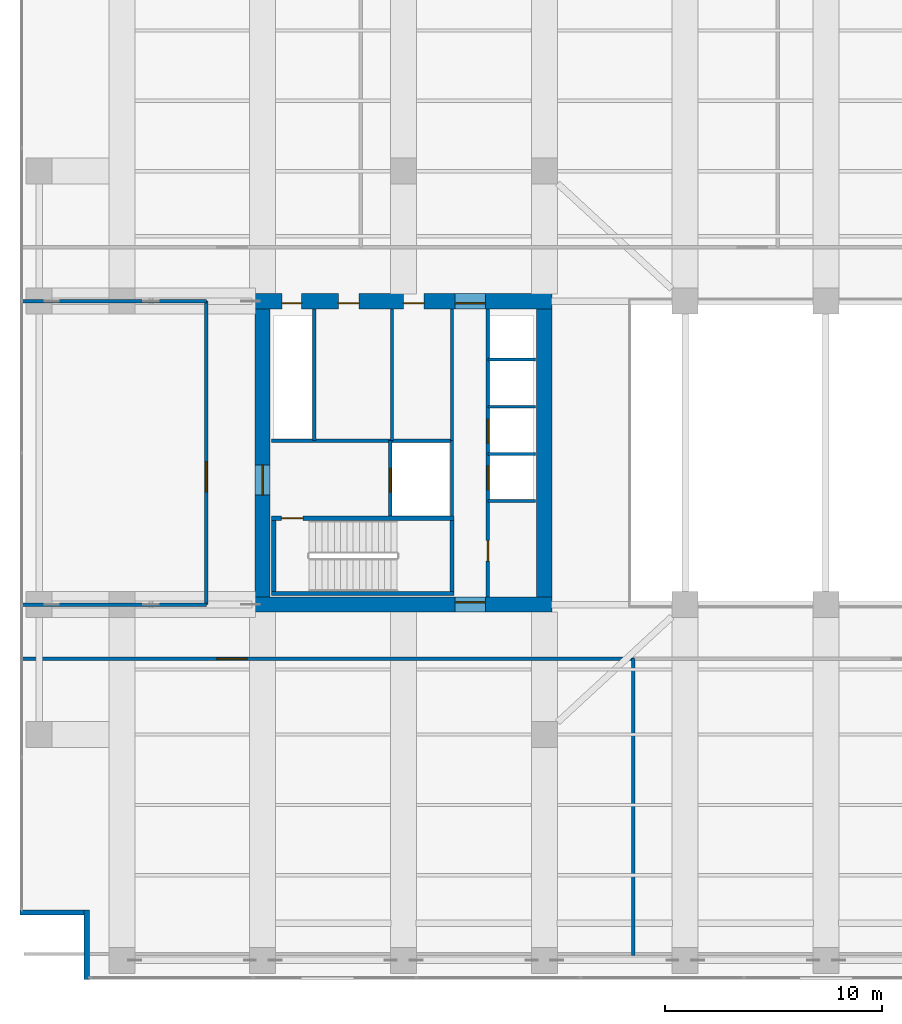
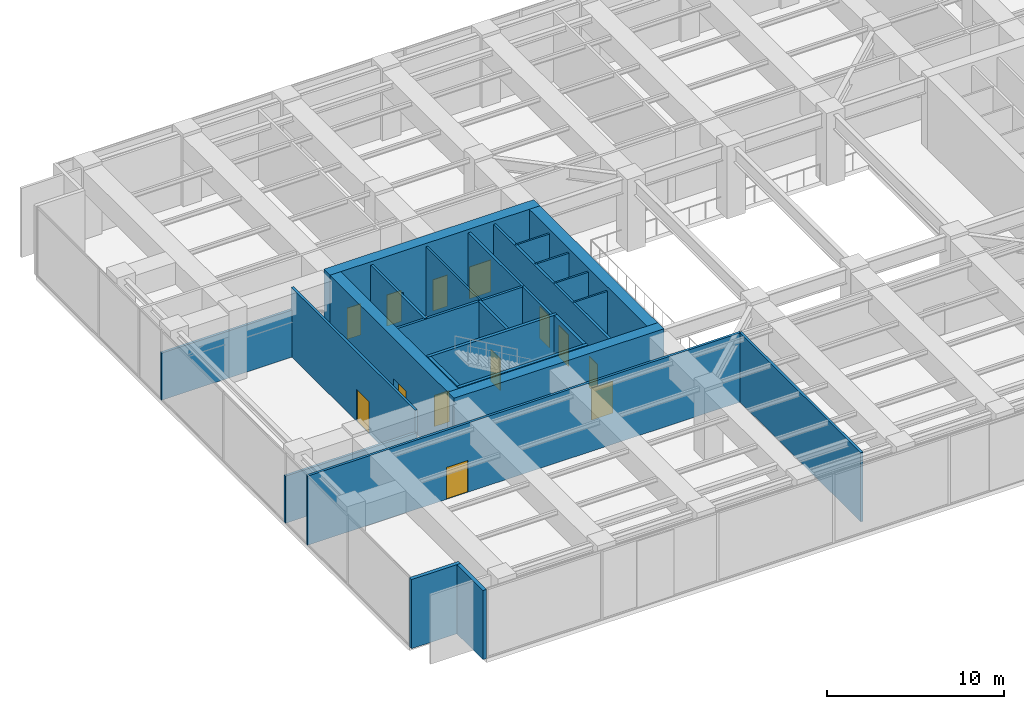
# One storey, part 21 of 28: 26 walls, 13 doors, 13 openings.
"""IFC4 building model written with IfcOpenShell, lengths in metres."""

from ifc_helpers import new_model, si_unit, direction, frame, frame_2d, origin, place, context, subcontext, project, spatial, rectangle, extrude, material, layer, layer_set, type_object, element, fill, save


model = new_model("IFC4")

# Units and contexts
model_context = context("Model", 3, precision=1e-05, world=origin(), true_north=direction((0.0, 1.0)))
body_context = subcontext(model_context, "Body", "Model", "MODEL_VIEW")
ifc_project = project(units=[si_unit("LENGTHUNIT", "METRE"), si_unit("AREAUNIT", "SQUARE_METRE"), si_unit("VOLUMEUNIT", "CUBIC_METRE"), si_unit("PLANEANGLEUNIT", "RADIAN"), si_unit("MASSUNIT", "GRAM", prefix="KILO")], contexts=[model_context])

# Site, building, storey
site_placement = place(None, origin())
site = spatial("IfcSite", under=ifc_project, at=site_placement, CompositionType="ELEMENT")
building_placement = place(site_placement, origin())
building = spatial("IfcBuilding", under=site, at=building_placement, Name="Putna Gate Headquarters", CompositionType="ELEMENT")
storey_placement = place(building_placement, frame((0.0, 0.0, 139.199951171875)))
storey = spatial("IfcBuildingStorey", under=building, at=storey_placement, Name="L34", CompositionType="ELEMENT", Elevation=139.199951171875)

# Wall, opening, door
ifc_material_1 = material(Name="Concrete C60/75", Category="concrete")
ifc_layer_1 = layer(ifc_material_1, 0.699951171875)
ifc_layer_set_1 = layer_set([ifc_layer_1], Name="Concrete C60/75")
wall_type_1 = type_object("IfcWallType", Name="WALL-CORE-700", PredefinedType="SHEAR", material=ifc_layer_set_1)
wall_1_placement = place(storey_placement, frame((12.64990234375, 19.0, 0.0), z_axis=(0.0, 0.0, 1.0), x_axis=(1.0, 0.0, 0.0)))
wall_1 = element("IfcWall", 1, at=wall_1_placement, inside=storey, type_object=wall_type_1, Name="L34 WC Split Core Shear Wall S", PredefinedType="SHEAR", context=body_context, shape_type="SweptSolid", body=[
    extrude(rectangle(XDim=13.7001953125, YDim=0.699951171875, at=frame_2d((6.85009765625, 0.0))), origin(), (0.0, 0.0, 1.0), 5.0),
])
opening_1_placement = place(wall_1_placement, frame((9.22998046875, 0.0, 0.0)))
opening_1 = element("IfcOpeningElement", 2, at=opening_1_placement, cuts=wall_1, Name="Opening FDD-140", PredefinedType="OPENING", context=body_context, shape_type="SweptSolid", body=[
    extrude(rectangle(XDim=1.39990234375, YDim=2.199951171875, at=frame_2d((0.699951171875, 1.10009765625))), frame((0.0, 0.35986328125, 0.0), z_axis=(0.0, -1.0, 0.0), x_axis=(1.0, 0.0, 0.0)), (0.0, 0.0, 1.0), 0.719970703125),
])
ifc_material_2 = material(Name="Double steel fire door", Category="steel")
door_type_1 = type_object("IfcDoorType", Name="DOOR-FIRE-DBL-1400", OperationType="DOUBLE_DOOR_SINGLE_SWING", PredefinedType="DOOR", material=ifc_material_2)
door_1_placement = place(opening_1_placement, origin())
door_1 = element("IfcDoor", 3, at=door_1_placement, inside=storey, type_object=door_type_1, Name="L34 West Lift Lobby South Door", OperationType="DOUBLE_DOOR_SINGLE_SWING", OverallHeight=2.199951171875, OverallWidth=1.39990234375, PredefinedType="DOOR", context=body_context, shape_type="SweptSolid", body=[
    extrude(rectangle(XDim=1.39990234375, YDim=2.199951171875, at=frame_2d((0.699951171875, 1.10009765625))), frame((0.0, 0.125, 0.0), z_axis=(0.0, -1.0, 0.0), x_axis=(1.0, 0.0, 0.0)), (0.0, 0.0, 1.0), 0.050048828125),
])
fill(opening_1, door_1)

# Wall, openings, doors
wall_2_placement = place(storey_placement, frame((12.64990234375, 33.0, 0.0), z_axis=(0.0, 0.0, 1.0), x_axis=(1.0, 0.0, 0.0)))
wall_2 = element("IfcWall", 4, at=wall_2_placement, inside=storey, type_object=wall_type_1, Name="L34 WC Split Core Shear Wall N", PredefinedType="SHEAR", context=body_context, shape_type="SweptSolid", body=[
    extrude(rectangle(XDim=13.7001953125, YDim=0.699951171875, at=frame_2d((6.85009765625, 0.0))), origin(), (0.0, 0.0, 1.0), 5.0),
])
opening_2_placement = place(wall_2_placement, frame((1.25, 0.0, 0.0)))
opening_2 = element("IfcOpeningElement", 5, at=opening_2_placement, cuts=wall_2, Name="Opening RD-90", PredefinedType="OPENING", context=body_context, shape_type="SweptSolid", body=[
    extrude(rectangle(XDim=0.89990234375, YDim=2.14990234375, at=frame_2d((0.449951171875, 1.074951171875))), frame((0.0, 0.35986328125, 0.0), z_axis=(0.0, -1.0, 0.0), x_axis=(1.0, 0.0, 0.0)), (0.0, 0.0, 1.0), 0.719970703125),
])
opening_3_placement = place(wall_2_placement, frame((3.85009765625, 0.0, 0.0)))
opening_3 = element("IfcOpeningElement", 6, at=opening_3_placement, cuts=wall_2, Name="Opening IDS-95", PredefinedType="OPENING", context=body_context, shape_type="SweptSolid", body=[
    extrude(rectangle(XDim=0.949951171875, YDim=2.14990234375, at=frame_2d((0.47509765625, 1.074951171875))), frame((0.0, 0.35986328125, 0.0), z_axis=(0.0, -1.0, 0.0), x_axis=(1.0, 0.0, 0.0)), (0.0, 0.0, 1.0), 0.719970703125),
])
opening_4_placement = place(wall_2_placement, frame((6.85009765625, 0.0, 0.0)))
opening_4 = element("IfcOpeningElement", 7, at=opening_4_placement, cuts=wall_2, Name="Opening IDS-95", PredefinedType="OPENING", context=body_context, shape_type="SweptSolid", body=[
    extrude(rectangle(XDim=0.949951171875, YDim=2.14990234375, at=frame_2d((0.47509765625, 1.074951171875))), frame((0.0, 0.35986328125, 0.0), z_axis=(0.0, -1.0, 0.0), x_axis=(1.0, 0.0, 0.0)), (0.0, 0.0, 1.0), 0.719970703125),
])
opening_5_placement = place(wall_2_placement, frame((9.22998046875, 0.0, 0.0)))
opening_5 = element("IfcOpeningElement", 8, at=opening_5_placement, cuts=wall_2, Name="Opening FDD-140", PredefinedType="OPENING", context=body_context, shape_type="SweptSolid", body=[
    extrude(rectangle(XDim=1.39990234375, YDim=2.199951171875, at=frame_2d((0.699951171875, 1.10009765625))), frame((0.0, 0.35986328125, 0.0), z_axis=(0.0, -1.0, 0.0), x_axis=(1.0, 0.0, 0.0)), (0.0, 0.0, 1.0), 0.719970703125),
])
door_2_placement = place(opening_5_placement, origin())
door_2 = element("IfcDoor", 9, at=door_2_placement, inside=storey, type_object=door_type_1, Name="L34 West Lift Lobby North Door", OperationType="DOUBLE_DOOR_SINGLE_SWING", OverallHeight=2.199951171875, OverallWidth=1.39990234375, PredefinedType="DOOR", context=body_context, shape_type="SweptSolid", body=[
    extrude(rectangle(XDim=1.39990234375, YDim=2.199951171875, at=frame_2d((0.699951171875, 1.10009765625))), frame((0.0, -0.0751953125, 0.0), z_axis=(0.0, -1.0, 0.0), x_axis=(1.0, 0.0, 0.0)), (0.0, 0.0, 1.0), 0.050048828125),
])
fill(opening_5, door_2)
ifc_material_3 = material(Name="Fire-rated service timber door", Category="wood")
door_type_2 = type_object("IfcDoorType", Name="DOOR-INT-950", OperationType="NOTDEFINED", PredefinedType="DOOR", material=ifc_material_3)
door_3_placement = place(opening_3_placement, origin())
door_3 = element("IfcDoor", 10, at=door_3_placement, inside=storey, type_object=door_type_2, Name="L34 Cleaner Store Door", OperationType="SINGLE_SWING_LEFT", OverallHeight=2.14990234375, OverallWidth=0.949951171875, PredefinedType="DOOR", context=body_context, shape_type="SweptSolid", body=[
    extrude(rectangle(XDim=0.949951171875, YDim=2.14990234375, at=frame_2d((0.47509765625, 1.074951171875))), frame((0.0, -0.0751953125, 0.0), z_axis=(0.0, -1.0, 0.0), x_axis=(1.0, 0.0, 0.0)), (0.0, 0.0, 1.0), 0.050048828125),
])
fill(opening_3, door_3)
door_4_placement = place(opening_4_placement, origin())
door_4 = element("IfcDoor", 11, at=door_4_placement, inside=storey, type_object=door_type_2, Name="L34 Comms Plant Door", OperationType="SINGLE_SWING_RIGHT", OverallHeight=2.14990234375, OverallWidth=0.949951171875, PredefinedType="DOOR", context=body_context, shape_type="SweptSolid", body=[
    extrude(rectangle(XDim=0.949951171875, YDim=2.14990234375, at=frame_2d((0.47509765625, 1.074951171875))), frame((0.0, -0.0751953125, 0.0), z_axis=(0.0, -1.0, 0.0), x_axis=(1.0, 0.0, 0.0)), (0.0, 0.0, 1.0), 0.050048828125),
])
fill(opening_4, door_4)
ifc_material_4 = material(Name="Steel riser access fire door", Category="steel")
door_type_3 = type_object("IfcDoorType", Name="DOOR-RISER-900", OperationType="NOTDEFINED", PredefinedType="DOOR", material=ifc_material_4)
door_5_placement = place(opening_2_placement, origin())
door_5 = element("IfcDoor", 12, at=door_5_placement, inside=storey, type_object=door_type_3, Name="L34 West Riser Access Door", OperationType="SINGLE_SWING_RIGHT", OverallHeight=2.14990234375, OverallWidth=0.89990234375, PredefinedType="DOOR", context=body_context, shape_type="SweptSolid", body=[
    extrude(rectangle(XDim=0.89990234375, YDim=2.14990234375, at=frame_2d((0.449951171875, 1.074951171875))), frame((0.0, -0.0751953125, 0.0), z_axis=(0.0, -1.0, 0.0), x_axis=(1.0, 0.0, 0.0)), (0.0, 0.0, 1.0), 0.050048828125),
])
fill(opening_2, door_5)

# Wall, opening, door
wall_3_placement = place(storey_placement, frame((13.0, 19.35009765625, 0.0), z_axis=(0.0, 0.0, 1.0), x_axis=(0.0, 1.0, 0.0)))
wall_3 = element("IfcWall", 13, at=wall_3_placement, inside=storey, type_object=wall_type_1, Name="L34 WC Split Core Shear Wall W", PredefinedType="SHEAR", context=body_context, shape_type="SweptSolid", body=[
    extrude(rectangle(XDim=13.2998046875, YDim=0.699951171875, at=frame_2d((6.64990234375, 0.0))), origin(), (0.0, 0.0, 1.0), 5.0),
])
opening_6_placement = place(wall_3_placement, frame((4.699951171875, 0.0, 0.0)))
opening_6 = element("IfcOpeningElement", 14, at=opening_6_placement, cuts=wall_3, Name="Opening FDD-140", PredefinedType="OPENING", context=body_context, shape_type="SweptSolid", body=[
    extrude(rectangle(XDim=1.39990234375, YDim=2.199951171875, at=frame_2d((0.699951171875, 1.10009765625))), frame((0.0, 0.35986328125, 0.0), z_axis=(0.0, -1.0, 0.0), x_axis=(1.0, 0.0, 0.0)), (0.0, 0.0, 1.0), 0.719970703125),
])
door_6_placement = place(opening_6_placement, origin())
door_6 = element("IfcDoor", 15, at=door_6_placement, inside=storey, type_object=door_type_1, Name="L34 West Firefighting Lobby Door", OperationType="DOUBLE_DOOR_SINGLE_SWING", OverallHeight=2.199951171875, OverallWidth=1.39990234375, PredefinedType="DOOR", context=body_context, shape_type="SweptSolid", body=[
    extrude(rectangle(XDim=1.39990234375, YDim=2.199951171875, at=frame_2d((0.699951171875, 1.10009765625))), frame((0.0, 0.02490234375, 0.0), z_axis=(0.0, -1.0, 0.0), x_axis=(1.0, 0.0, 0.0)), (0.0, 0.0, 1.0), 0.050048828125),
])
fill(opening_6, door_6)

# Walls
wall_4_placement = place(storey_placement, frame((26.0, 19.35009765625, 0.0), z_axis=(0.0, 0.0, 1.0), x_axis=(0.0, 1.0, 0.0)))
element("IfcWall", 16, at=wall_4_placement, inside=storey, type_object=wall_type_1, Name="L34 WC Split Core Shear Wall E", PredefinedType="SHEAR", context=body_context, shape_type="SweptSolid", body=[
    extrude(rectangle(XDim=13.2998046875, YDim=0.699951171875, at=frame_2d((6.64990234375, 0.0))), origin(), (0.0, 0.0, 1.0), 5.0),
])
ifc_material_5 = material(Name="Precast concrete C40/50", Category="concrete")
ifc_layer_2 = layer(ifc_material_5, 0.239990234375)
ifc_layer_set_2 = layer_set([ifc_layer_2], Name="Precast concrete C40/50")
wall_type_2 = type_object("IfcWallType", Name="WALL-EXT-TERR-240", PredefinedType="STANDARD", material=ifc_layer_set_2)
for number, where, z_axis, x_axis, name in (
    (17, (4.8798828125, 1.699951171875, 0.0), (0.0, 0.0, 1.0), (0.0, 1.0, 0.0), "L34 Corner Notch Return Wall SW-V"),
    (18, (5.0, 4.780029296875, 0.0), (0.0, 0.0, 1.0), (-1.0, 0.0, 0.0), "L34 Corner Notch Return Wall SW-H"),
):
    element("IfcWall", number, at=place(storey_placement, frame(where, z_axis=z_axis, x_axis=x_axis)), inside=storey, type_object=wall_type_2, Name=name, PredefinedType="STANDARD", context=body_context, shape_type="SweptSolid", body=[
        extrude(rectangle(XDim=3.199951171875, YDim=0.239990234375, at=frame_2d((1.60009765625, 0.0))), origin(), (0.0, 0.0, 1.0), 4.77197265625),
    ])
ifc_material_6 = material(Name="Fire-rated shaftwall gypsum board on metal stud")
ifc_layer_3 = layer(ifc_material_6, 0.1201171875)
ifc_layer_set_3 = layer_set([ifc_layer_3], Name="Fire-rated shaftwall gypsum board on metal stud")
wall_type_3 = type_object("IfcWallType", Name="WALL-PART-120-EI120", PredefinedType="PARTITIONING", material=ifc_layer_set_3)
for number, where, z_axis, x_axis, name in (
    (19, (23.39990234375, 25.949951171875, 0.0), (0.0, 0.0, 1.0), (1.0, 0.0, 0.0), "L34 Interior Wall CWINT-L34-WC-LF05-DIV"),
    (20, (23.39990234375, 28.1201171875, 0.0), (0.0, 0.0, 1.0), (1.0, 0.0, 0.0), "L34 Interior Wall CWINT-L34-WC-LF06-DIV"),
    (21, (23.39990234375, 30.31005859375, 0.0), (0.0, 0.0, 1.0), (1.0, 0.0, 0.0), "L34 Interior Wall CWINT-L34-WC-LF09-DIV"),
):
    element("IfcWall", number, at=place(storey_placement, frame(where, z_axis=z_axis, x_axis=x_axis)), inside=storey, type_object=wall_type_3, Name=name, PredefinedType="PARTITIONING", context=body_context, shape_type="SweptSolid", body=[
        extrude(rectangle(XDim=2.2001953125, YDim=0.1201171875, at=frame_2d((1.10009765625, 0.0))), origin(), (0.0, 0.0, 1.0), 4.77197265625),
    ])
ifc_material_7 = material(Name="Fire-rated gypsum board on metal stud")
ifc_layer_4 = layer(ifc_material_7, 0.1201171875)
ifc_layer_set_4 = layer_set([ifc_layer_4], Name="Fire-rated gypsum board on metal stud")
wall_type_4 = type_object("IfcWallType", Name="WALL-PART-120-RATED", PredefinedType="PARTITIONING", material=ifc_layer_set_4)
wall_5_placement = place(storey_placement, frame((18.969970703125, 26.56005859375, 0.0), z_axis=(0.0, 0.0, 1.0), x_axis=(0.0, 1.0, 0.0)))
element("IfcWall", 22, at=wall_5_placement, inside=storey, type_object=wall_type_4, Name="L34 Interior Wall CWINT-L34-WC-K0-DIV", PredefinedType="PARTITIONING", context=body_context, shape_type="SweptSolid", body=[
    extrude(rectangle(XDim=6.08984375, YDim=0.1201171875, at=frame_2d((3.044921875, 0.0))), origin(), (0.0, 0.0, 1.0), 4.77197265625),
])
wall_6_placement = place(storey_placement, frame((23.39990234375, 23.780029296875, 0.0), z_axis=(0.0, 0.0, 1.0), x_axis=(1.0, 0.0, 0.0)))
element("IfcWall", 23, at=wall_6_placement, inside=storey, type_object=wall_type_4, Name="L34 Interior Wall CWINT-L34-WC-LF02-DIV", PredefinedType="PARTITIONING", context=body_context, shape_type="SweptSolid", body=[
    extrude(rectangle(XDim=2.2001953125, YDim=0.1201171875, at=frame_2d((1.10009765625, 0.0))), origin(), (0.0, 0.0, 1.0), 4.77197265625),
])
ifc_material_8 = material(Name="Concrete C40/50", Category="concrete")
ifc_layer_5 = layer(ifc_material_8, 0.159912109375)
ifc_layer_set_5 = layer_set([ifc_layer_5], Name="Concrete C40/50")
wall_type_5 = type_object("IfcWallType", Name="WALL-SHAFT-160", PredefinedType="STANDARD", material=ifc_layer_set_5)
wall_7_placement = place(storey_placement, frame((21.739990234375, 23.090087890625, 0.0), z_axis=(0.0, 0.0, 1.0), x_axis=(0.0, 1.0, 0.0)))
element("IfcWall", 24, at=wall_7_placement, inside=storey, type_object=wall_type_5, Name="L34 Interior Wall CWINT-L34-WC-FFL-E", PredefinedType="STANDARD", context=body_context, shape_type="SweptSolid", body=[
    extrude(rectangle(XDim=3.469970703125, YDim=0.159912109375, at=frame_2d((1.73486328125, 0.0))), origin(), (0.0, 0.0, 1.0), 4.77197265625),
])

# Wall, opening, door
wall_8_placement = place(storey_placement, frame((18.8798828125, 23.090087890625, 0.0), z_axis=(0.0, 0.0, 1.0), x_axis=(0.0, 1.0, 0.0)))
wall_8 = element("IfcWall", 25, at=wall_8_placement, inside=storey, type_object=wall_type_5, Name="L34 Interior Wall CWINT-L34-WC-LF13-W", PredefinedType="STANDARD", context=body_context, shape_type="SweptSolid", body=[
    extrude(rectangle(XDim=3.469970703125, YDim=0.159912109375, at=frame_2d((1.73486328125, 0.0))), origin(), (0.0, 0.0, 1.0), 4.77197265625),
])
opening_7_placement = place(wall_8_placement, frame((1.10009765625, 0.0, 0.0)))
opening_7 = element("IfcOpeningElement", 26, at=opening_7_placement, cuts=wall_8, Name="Opening LD-1", PredefinedType="OPENING", context=body_context, shape_type="SweptSolid", body=[
    extrude(rectangle(XDim=1.10009765625, YDim=2.199951171875, at=frame_2d((0.550048828125, 1.10009765625))), frame((0.0, 0.08984375, 0.0), z_axis=(0.0, -1.0, 0.0), x_axis=(1.0, 0.0, 0.0)), (0.0, 0.0, 1.0), 0.179931640625),
])
ifc_material_9 = material(Name="Brushed bronze stainless lift landing door")
door_type_4 = type_object("IfcDoorType", Name="DOOR-LIFT-1100", OperationType="DOUBLE_DOOR_SLIDING", PredefinedType="DOOR", material=ifc_material_9)
door_7_placement = place(opening_7_placement, origin())
door_7 = element("IfcDoor", 27, at=door_7_placement, inside=storey, type_object=door_type_4, Name="L34 Lift Landing Door LD-13", OperationType="DOUBLE_DOOR_SLIDING", OverallHeight=2.199951171875, OverallWidth=1.10009765625, PredefinedType="DOOR", context=body_context, shape_type="SweptSolid", body=[
    extrude(rectangle(XDim=1.10009765625, YDim=2.199951171875, at=frame_2d((0.550048828125, 1.10009765625))), frame((0.0, 0.02490234375, 0.0), z_axis=(0.0, -1.0, 0.0), x_axis=(1.0, 0.0, 0.0)), (0.0, 0.0, 1.0), 0.050048828125),
])
fill(opening_7, door_7)

# Walls
wall_9_placement = place(storey_placement, frame((13.39990234375, 26.56005859375, 0.0), z_axis=(0.0, 0.0, 1.0), x_axis=(1.0, 0.0, 0.0)))
element("IfcWall", 28, at=wall_9_placement, inside=storey, type_object=wall_type_5, Name="L34 Interior Wall CWINT-L34-WC-FFL-N", PredefinedType="STANDARD", context=body_context, shape_type="SweptSolid", body=[
    extrude(rectangle(XDim=8.340087890625, YDim=0.159912109375, at=frame_2d((4.169921875, 0.0))), origin(), (0.0, 0.0, 1.0), 4.77197265625),
])
for number, where, z_axis, x_axis, name in (
    (29, (15.3798828125, 26.56005859375, 0.0), (0.0, 0.0, 1.0), (0.0, 1.0, 0.0), "L34 Interior Wall CWINT-L34-WC-RISER-E"),
    (30, (21.739990234375, 26.56005859375, 0.0), (0.0, 0.0, 1.0), (0.0, 1.0, 0.0), "L34 Interior Wall CWINT-L34-WC-LOB-W"),
):
    element("IfcWall", number, at=place(storey_placement, frame(where, z_axis=z_axis, x_axis=x_axis)), inside=storey, type_object=wall_type_5, Name=name, PredefinedType="STANDARD", context=body_context, shape_type="SweptSolid", body=[
        extrude(rectangle(XDim=6.08984375, YDim=0.159912109375, at=frame_2d((3.044921875, 0.0))), origin(), (0.0, 0.0, 1.0), 4.77197265625),
    ])

# Wall, openings, doors
wall_10_placement = place(storey_placement, frame((23.39990234375, 19.35009765625, 0.0), z_axis=(0.0, 0.0, 1.0), x_axis=(0.0, 1.0, 0.0)))
wall_10 = element("IfcWall", 31, at=wall_10_placement, inside=storey, type_object=wall_type_5, Name="L34 Interior Wall CWINT-L34-WC-PL-WALL", PredefinedType="STANDARD", context=body_context, shape_type="SweptSolid", body=[
    extrude(rectangle(XDim=13.2998046875, YDim=0.159912109375, at=frame_2d((6.64990234375, 0.0))), origin(), (0.0, 0.0, 1.0), 4.77197265625),
])
opening_8_placement = place(wall_10_placement, frame((1.64990234375, 0.0, 0.0)))
opening_8 = element("IfcOpeningElement", 32, at=opening_8_placement, cuts=wall_10, Name="Opening IDS-95", PredefinedType="OPENING", context=body_context, shape_type="SweptSolid", body=[
    extrude(rectangle(XDim=0.949951171875, YDim=2.14990234375, at=frame_2d((0.47509765625, 1.074951171875))), frame((0.0, 0.08984375, 0.0), z_axis=(0.0, -1.0, 0.0), x_axis=(1.0, 0.0, 0.0)), (0.0, 0.0, 1.0), 0.179931640625),
])
opening_9_placement = place(wall_10_placement, frame((4.949951171875, 0.0, 0.0)))
opening_9 = element("IfcOpeningElement", 33, at=opening_9_placement, cuts=wall_10, Name="Opening LD-1", PredefinedType="OPENING", context=body_context, shape_type="SweptSolid", body=[
    extrude(rectangle(XDim=1.10009765625, YDim=2.199951171875, at=frame_2d((0.550048828125, 1.10009765625))), frame((0.0, 0.08984375, 0.0), z_axis=(0.0, -1.0, 0.0), x_axis=(1.0, 0.0, 0.0)), (0.0, 0.0, 1.0), 0.179931640625),
])
opening_10_placement = place(wall_10_placement, frame((7.10009765625, 0.0, 0.0)))
opening_10 = element("IfcOpeningElement", 34, at=opening_10_placement, cuts=wall_10, Name="Opening LD-1", PredefinedType="OPENING", context=body_context, shape_type="SweptSolid", body=[
    extrude(rectangle(XDim=1.10009765625, YDim=2.199951171875, at=frame_2d((0.550048828125, 1.10009765625))), frame((0.0, 0.08984375, 0.0), z_axis=(0.0, -1.0, 0.0), x_axis=(1.0, 0.0, 0.0)), (0.0, 0.0, 1.0), 0.179931640625),
])
door_8_placement = place(opening_8_placement, origin())
door_8 = element("IfcDoor", 35, at=door_8_placement, inside=storey, type_object=door_type_2, Name="L34 Document Archive Door", OperationType="SINGLE_SWING_LEFT", OverallHeight=2.14990234375, OverallWidth=0.949951171875, PredefinedType="DOOR", context=body_context, shape_type="SweptSolid", body=[
    extrude(rectangle(XDim=0.949951171875, YDim=2.14990234375, at=frame_2d((0.47509765625, 1.074951171875))), frame((0.0, 0.02490234375, 0.0), z_axis=(0.0, -1.0, 0.0), x_axis=(1.0, 0.0, 0.0)), (0.0, 0.0, 1.0), 0.050048828125),
])
fill(opening_8, door_8)
door_9_placement = place(opening_9_placement, origin())
door_9 = element("IfcDoor", 36, at=door_9_placement, inside=storey, type_object=door_type_4, Name="L34 Lift Landing Door LD-05", OperationType="DOUBLE_DOOR_SLIDING", OverallHeight=2.199951171875, OverallWidth=1.10009765625, PredefinedType="DOOR", context=body_context, shape_type="SweptSolid", body=[
    extrude(rectangle(XDim=1.10009765625, YDim=2.199951171875, at=frame_2d((0.550048828125, 1.10009765625))), frame((0.0, 0.02490234375, 0.0), z_axis=(0.0, -1.0, 0.0), x_axis=(1.0, 0.0, 0.0)), (0.0, 0.0, 1.0), 0.050048828125),
])
fill(opening_9, door_9)
door_10_placement = place(opening_10_placement, origin())
door_10 = element("IfcDoor", 37, at=door_10_placement, inside=storey, type_object=door_type_4, Name="L34 Lift Landing Door LD-06", OperationType="DOUBLE_DOOR_SLIDING", OverallHeight=2.199951171875, OverallWidth=1.10009765625, PredefinedType="DOOR", context=body_context, shape_type="SweptSolid", body=[
    extrude(rectangle(XDim=1.10009765625, YDim=2.199951171875, at=frame_2d((0.550048828125, 1.10009765625))), frame((0.0, 0.02490234375, 0.0), z_axis=(0.0, -1.0, 0.0), x_axis=(1.0, 0.0, 0.0)), (0.0, 0.0, 1.0), 0.050048828125),
])
fill(opening_10, door_10)

# Wall, opening, door
wall_11_placement = place(storey_placement, frame((10.39990234375, 19.0, 0.0), z_axis=(0.0, 0.0, 1.0), x_axis=(0.0, 1.0, 0.0)))
wall_11 = element("IfcWall", 38, at=wall_11_placement, inside=storey, type_object=wall_type_5, Name="L34 Interior Wall PART-L34-REFW", PredefinedType="STANDARD", context=body_context, shape_type="SweptSolid", body=[
    extrude(rectangle(XDim=14.0, YDim=0.159912109375, at=frame_2d((7.0, 0.0))), origin(), (0.0, 0.0, 1.0), 4.77197265625),
])
opening_11_placement = place(wall_11_placement, frame((5.199951171875, 0.0, 0.0)))
opening_11 = element("IfcOpeningElement", 39, at=opening_11_placement, cuts=wall_11, Name="Opening FDD-140", PredefinedType="OPENING", context=body_context, shape_type="SweptSolid", body=[
    extrude(rectangle(XDim=1.39990234375, YDim=2.199951171875, at=frame_2d((0.699951171875, 1.10009765625))), frame((0.0, 0.08984375, 0.0), z_axis=(0.0, -1.0, 0.0), x_axis=(1.0, 0.0, 0.0)), (0.0, 0.0, 1.0), 0.179931640625),
])
door_11_placement = place(opening_11_placement, origin())
door_11 = element("IfcDoor", 40, at=door_11_placement, inside=storey, type_object=door_type_1, Name="L34 West Refuge Area Door", OperationType="DOUBLE_DOOR_SINGLE_SWING", OverallHeight=2.199951171875, OverallWidth=1.39990234375, PredefinedType="DOOR", context=body_context, shape_type="SweptSolid", body=[
    extrude(rectangle(XDim=1.39990234375, YDim=2.199951171875, at=frame_2d((0.699951171875, 1.10009765625))), frame((0.0, 0.02490234375, 0.0), z_axis=(0.0, -1.0, 0.0), x_axis=(1.0, 0.0, 0.0)), (0.0, 0.0, 1.0), 0.050048828125),
])
fill(opening_11, door_11)

# Walls
for number, where, z_axis, x_axis, name in (
    (41, (1.820068359375, 19.0, 0.0), (0.0, 0.0, 1.0), (1.0, 0.0, 0.0), "L34 Interior Wall PART-L34-REFW-S"),
    (42, (1.820068359375, 33.0, 0.0), (0.0, 0.0, 1.0), (1.0, 0.0, 0.0), "L34 Interior Wall PART-L34-REFW-N"),
):
    element("IfcWall", number, at=place(storey_placement, frame(where, z_axis=z_axis, x_axis=x_axis)), inside=storey, type_object=wall_type_5, Name=name, PredefinedType="STANDARD", context=body_context, shape_type="SweptSolid", body=[
        extrude(rectangle(XDim=8.579833984375, YDim=0.159912109375, at=frame_2d((4.2900390625, 0.0))), origin(), (0.0, 0.0, 1.0), 3.251953125),
    ])
wall_12_placement = place(storey_placement, frame((30.115234375, 2.7900390625, 0.0), z_axis=(0.0, 0.0, 1.0), x_axis=(0.0, 1.0, 0.0)))
element("IfcWall", 43, at=wall_12_placement, inside=storey, type_object=wall_type_5, Name="L34 Interior Wall PART-L34-PS-DIV1", PredefinedType="STANDARD", context=body_context, shape_type="SweptSolid", body=[
    extrude(rectangle(XDim=13.7099609375, YDim=0.159912109375, at=frame_2d((6.85498046875, 0.0))), origin(), (0.0, 0.0, 1.0), 4.77197265625),
])

# Wall, opening, door
wall_13_placement = place(storey_placement, frame((1.820068359375, 16.5, 0.0), z_axis=(0.0, 0.0, 1.0), x_axis=(1.0, 0.0, 0.0)))
wall_13 = element("IfcWall", 44, at=wall_13_placement, inside=storey, type_object=wall_type_5, Name="L34 Interior Wall PART-L34-PS-CW1", PredefinedType="STANDARD", context=body_context, shape_type="SweptSolid", body=[
    extrude(rectangle(XDim=28.295166015625, YDim=0.159912109375, at=frame_2d((14.1474609375, 0.0))), origin(), (0.0, 0.0, 1.0), 4.77197265625),
])
opening_12_placement = place(wall_13_placement, frame((9.06005859375, 0.0, 0.0)))
opening_12 = element("IfcOpeningElement", 45, at=opening_12_placement, cuts=wall_13, Name="Opening FDD-140", PredefinedType="OPENING", context=body_context, shape_type="SweptSolid", body=[
    extrude(rectangle(XDim=1.39990234375, YDim=2.199951171875, at=frame_2d((0.699951171875, 1.10009765625))), frame((0.0, 0.08984375, 0.0), z_axis=(0.0, -1.0, 0.0), x_axis=(1.0, 0.0, 0.0)), (0.0, 0.0, 1.0), 0.179931640625),
])
door_12_placement = place(opening_12_placement, origin())
door_12 = element("IfcDoor", 46, at=door_12_placement, inside=storey, type_object=door_type_1, Name="L34 Domestic and Fire Water Booster Pump Room Door", OperationType="DOUBLE_DOOR_SINGLE_SWING", OverallHeight=2.199951171875, OverallWidth=1.39990234375, PredefinedType="DOOR", context=body_context, shape_type="SweptSolid", body=[
    extrude(rectangle(XDim=1.39990234375, YDim=2.199951171875, at=frame_2d((0.699951171875, 1.10009765625))), frame((0.0, 0.02490234375, 0.0), z_axis=(0.0, -1.0, 0.0), x_axis=(1.0, 0.0, 0.0)), (0.0, 0.0, 1.0), 0.050048828125),
])
fill(opening_12, door_12)

# Wall
ifc_layer_6 = layer(ifc_material_8, 0.199951171875)
ifc_layer_set_6 = layer_set([ifc_layer_6], Name="Concrete C40/50")
wall_type_6 = type_object("IfcWallType", Name="WALL-SHAFT-RC200", PredefinedType="SHEAR", material=ifc_layer_set_6)
wall_14_placement = place(storey_placement, frame((13.409912109375, 19.510009765625, 0.0), z_axis=(0.0, 0.0, 1.0), x_axis=(1.0, 0.0, 0.0)))
element("IfcWall", 47, at=wall_14_placement, inside=storey, type_object=wall_type_6, Name="L34 Stair ST1 Structural Shaft Wall S", PredefinedType="SHEAR", context=body_context, shape_type="SweptSolid", body=[
    extrude(rectangle(XDim=8.43017578125, YDim=0.199951171875, at=frame_2d((4.215087890625, 0.0))), origin(), (0.0, 0.0, 1.0), 5.0),
])

# Wall, opening, door
wall_15_placement = place(storey_placement, frame((13.409912109375, 22.989990234375, 0.0), z_axis=(0.0, 0.0, 1.0), x_axis=(1.0, 0.0, 0.0)))
wall_15 = element("IfcWall", 48, at=wall_15_placement, inside=storey, type_object=wall_type_6, Name="L34 Stair ST1 Structural Shaft Wall N", PredefinedType="SHEAR", context=body_context, shape_type="SweptSolid", body=[
    extrude(rectangle(XDim=8.43017578125, YDim=0.199951171875, at=frame_2d((4.215087890625, 0.0))), origin(), (0.0, 0.0, 1.0), 5.0),
])
opening_13_placement = place(wall_15_placement, frame((0.449951171875, 0.0, 0.0)))
opening_13 = element("IfcOpeningElement", 49, at=opening_13_placement, cuts=wall_15, Name="Opening FD-100", PredefinedType="OPENING", context=body_context, shape_type="SweptSolid", body=[
    extrude(rectangle(XDim=1.0, YDim=2.14990234375, at=frame_2d((0.5, 1.074951171875))), frame((0.0, 0.10986328125, 0.0), z_axis=(0.0, -1.0, 0.0), x_axis=(1.0, 0.0, 0.0)), (0.0, 0.0, 1.0), 0.219970703125),
])
ifc_material_10 = material(Name="Powder-coated steel fire door", Category="steel")
door_type_5 = type_object("IfcDoorType", Name="DOOR-FIRE-1000", OperationType="NOTDEFINED", PredefinedType="DOOR", material=ifc_material_10)
door_13_placement = place(opening_13_placement, origin())
door_13 = element("IfcDoor", 50, at=door_13_placement, inside=storey, type_object=door_type_5, Name="L34 Stair ST1 Fire Door", OperationType="SINGLE_SWING_LEFT", OverallHeight=2.14990234375, OverallWidth=1.0, PredefinedType="DOOR", context=body_context, shape_type="SweptSolid", body=[
    extrude(rectangle(XDim=1.0, YDim=2.14990234375, at=frame_2d((0.5, 1.074951171875))), frame((0.0, 0.02490234375, 0.0), z_axis=(0.0, -1.0, 0.0), x_axis=(1.0, 0.0, 0.0)), (0.0, 0.0, 1.0), 0.050048828125),
])
fill(opening_13, door_13)

# Walls
for number, where, z_axis, x_axis, name in (
    (51, (13.510009765625, 19.610107421875, 0.0), (0.0, 0.0, 1.0), (0.0, 1.0, 0.0), "L34 Stair ST1 Structural Shaft Wall W"),
    (52, (21.739990234375, 19.610107421875, 0.0), (0.0, 0.0, 1.0), (0.0, 1.0, 0.0), "L34 Stair ST1 Structural Shaft Wall E"),
):
    element("IfcWall", number, at=place(storey_placement, frame(where, z_axis=z_axis, x_axis=x_axis)), inside=storey, type_object=wall_type_6, Name=name, PredefinedType="SHEAR", context=body_context, shape_type="SweptSolid", body=[
        extrude(rectangle(XDim=3.27978515625, YDim=0.199951171875, at=frame_2d((1.639892578125, 0.0))), origin(), (0.0, 0.0, 1.0), 5.0),
    ])

save(model, "model.ifc")
